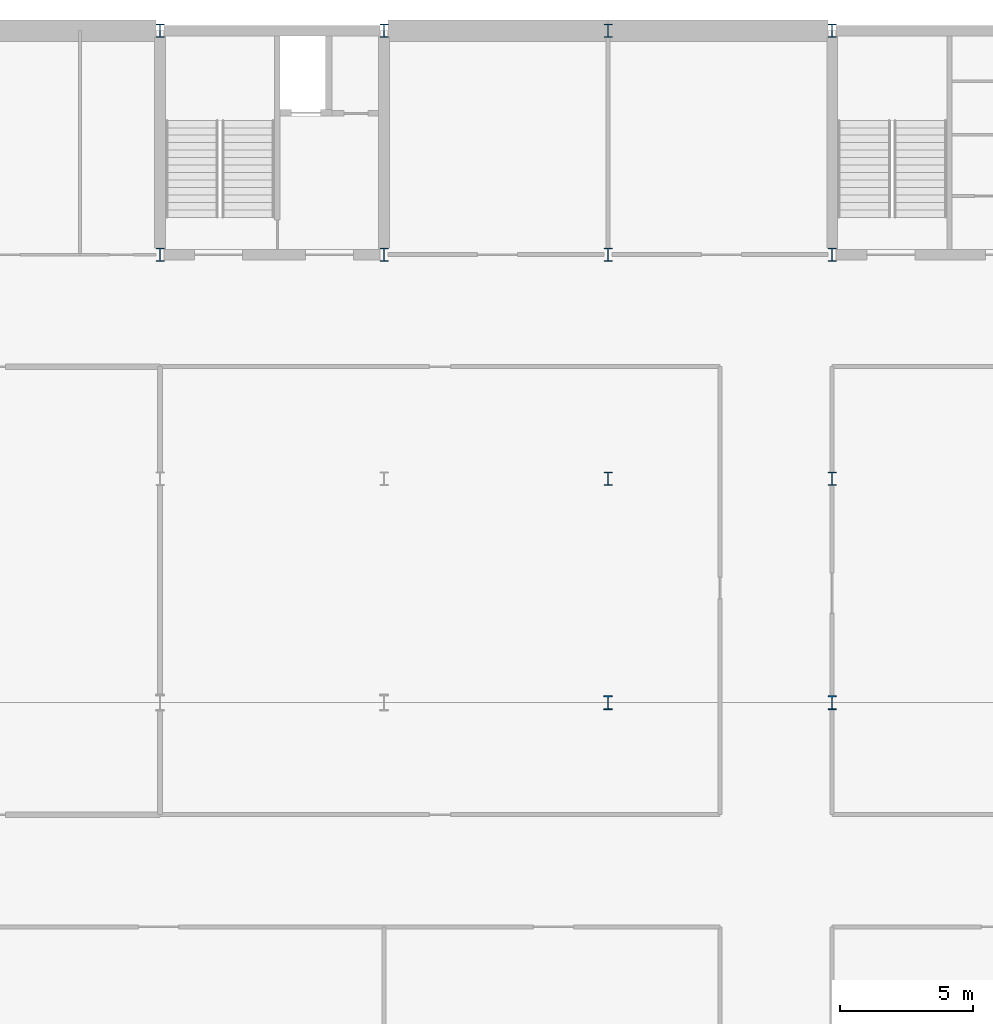
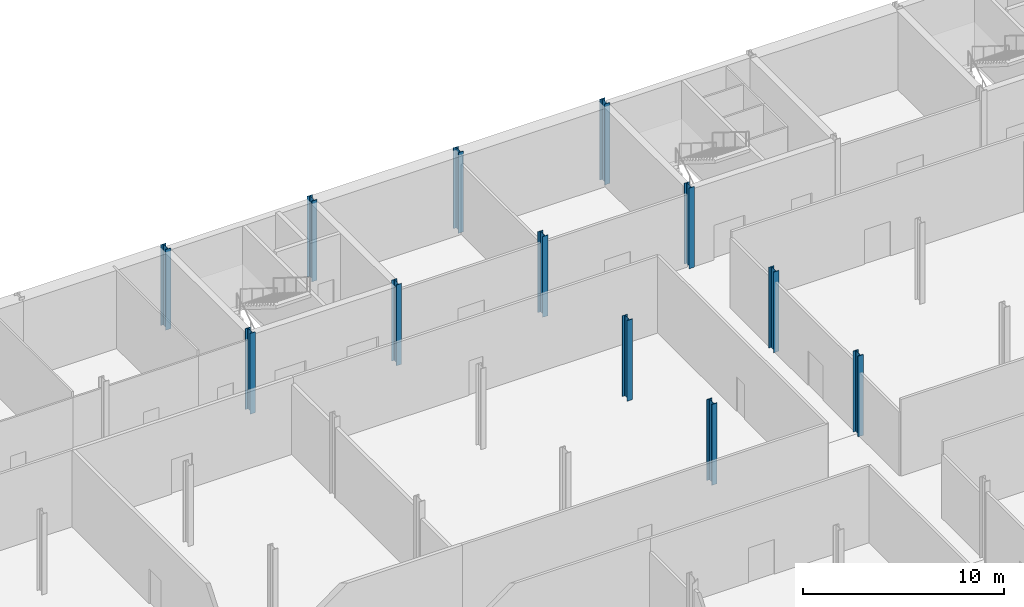
# One storey, part 4 of 20: 12 columns.
"""IFC4 building model written with IfcOpenShell, lengths in metres."""

from ifc_helpers import new_model, si_unit, direction, frame, origin, origin_2d, place, context, subcontext, project, spatial, i_section, extrude, material, material_profile, profile_set, type_object, element, save


model = new_model("IFC4")

# Units and contexts
model_context = context("Model", 3, precision=1e-05, world=origin(), true_north=direction((0.0, 1.0)))
body_context = subcontext(model_context, "Body", "Model", "MODEL_VIEW")
ifc_project = project(units=[si_unit("LENGTHUNIT", "METRE"), si_unit("AREAUNIT", "SQUARE_METRE"), si_unit("VOLUMEUNIT", "CUBIC_METRE"), si_unit("PLANEANGLEUNIT", "RADIAN"), si_unit("MASSUNIT", "GRAM", prefix="KILO")], contexts=[model_context])

# Site, building, storey
site_placement = place(None, origin())
site = spatial("IfcSite", under=ifc_project, at=site_placement, CompositionType="ELEMENT")
building_placement = place(site_placement, origin())
building = spatial("IfcBuilding", under=site, at=building_placement, Name="Galleria Vessillo Department Store", CompositionType="ELEMENT")
storey_placement = place(building_placement, frame((0.0, 0.0, -4.89990234375)))
storey = spatial("IfcBuildingStorey", under=building, at=storey_placement, Name="B1", CompositionType="ELEMENT", Elevation=-4.89990234375)

# Columns
ifc_material_1 = material(Name="Steel S355 J2", Category="steel")
ifc_material_profile_1 = material_profile(ifc_material_1, i_section(OverallWidth=0.300048828125, OverallDepth=0.5, WebThickness=0.014404296875, FlangeThickness=0.028076171875, FilletRadius=0.027099609375, at=origin_2d()), Name="HEB 500")
ifc_profile_set_1 = profile_set([ifc_material_profile_1], Name="Steel S355 J2")
column_type_1 = type_object("IfcColumnType", Name="Steel column HEB 500 CP1", PredefinedType="COLUMN", material=ifc_profile_set_1)
for number, where, z_axis, x_axis, name in (
    (1, (33.60009765625, 54.60009765625, 0.0), (0.0, 0.0, 1.0), (1.0, 0.0, 0.0), "S-COL-B1-5-G"),
    (2, (33.60009765625, 63.0, 0.0), (0.0, 0.0, 1.0), (1.0, 0.0, 0.0), "S-COL-B1-5-H"),
    (3, (42.0, 54.60009765625, 0.0), (0.0, 0.0, 1.0), (1.0, 0.0, 0.0), "S-COL-B1-6-G"),
    (4, (42.0, 63.0, 0.0), (0.0, 0.0, 1.0), (1.0, 0.0, 0.0), "S-COL-B1-6-H"),
    (5, (50.39990234375, 46.199951171875, 0.0), (0.0, 0.0, 1.0), (1.0, 0.0, 0.0), "S-COL-B1-7-F"),
    (6, (50.39990234375, 54.60009765625, 0.0), (0.0, 0.0, 1.0), (1.0, 0.0, 0.0), "S-COL-B1-7-G"),
    (7, (50.39990234375, 63.0, 0.0), (0.0, 0.0, 1.0), (1.0, 0.0, 0.0), "S-COL-B1-7-H"),
    (8, (58.800048828125, 46.199951171875, 0.0), (0.0, 0.0, 1.0), (1.0, 0.0, 0.0), "S-COL-B1-8-F"),
    (9, (58.800048828125, 54.60009765625, 0.0), (0.0, 0.0, 1.0), (1.0, 0.0, 0.0), "S-COL-B1-8-G"),
    (10, (58.800048828125, 63.0, 0.0), (0.0, 0.0, 1.0), (1.0, 0.0, 0.0), "S-COL-B1-8-H"),
):
    element("IfcColumn", number, at=place(storey_placement, frame(where, z_axis=z_axis, x_axis=x_axis)), inside=storey, type_object=column_type_1, Name=name, PredefinedType="COLUMN", context=body_context, shape_type="SweptSolid", body=[
        extrude(i_section(OverallWidth=0.300048828125, OverallDepth=0.5, WebThickness=0.014404296875, FlangeThickness=0.028076171875, FilletRadius=0.027099609375, at=origin_2d()), origin(), (0.0, 0.0, 1.0), 4.89990234375),
    ])
ifc_material_2 = material(Name="Steel S355 J2", Category="steel")
ifc_material_profile_2 = material_profile(ifc_material_2, i_section(OverallWidth=0.305908203125, OverallDepth=0.52392578125, WebThickness=0.02099609375, FlangeThickness=0.0400390625, FilletRadius=0.027099609375, at=origin_2d()), Name="HEM 500")
ifc_profile_set_2 = profile_set([ifc_material_profile_2], Name="Steel S355 J2")
column_type_2 = type_object("IfcColumnType", Name="Steel column HEM 500 CV1", PredefinedType="COLUMN", material=ifc_profile_set_2)
for number, where, z_axis, x_axis, name in (
    (11, (50.39990234375, 37.800048828125, 0.0), (0.0, 0.0, 1.0), (1.0, 0.0, 0.0), "S-COL-B1-7-E"),
    (12, (58.800048828125, 37.800048828125, 0.0), (0.0, 0.0, 1.0), (1.0, 0.0, 0.0), "S-COL-B1-8-E"),
):
    element("IfcColumn", number, at=place(storey_placement, frame(where, z_axis=z_axis, x_axis=x_axis)), inside=storey, type_object=column_type_2, Name=name, PredefinedType="COLUMN", context=body_context, shape_type="SweptSolid", body=[
        extrude(i_section(OverallWidth=0.305908203125, OverallDepth=0.52392578125, WebThickness=0.02099609375, FlangeThickness=0.0400390625, FilletRadius=0.027099609375, at=origin_2d()), origin(), (0.0, 0.0, 1.0), 4.89990234375),
    ])

save(model, "model.ifc")
